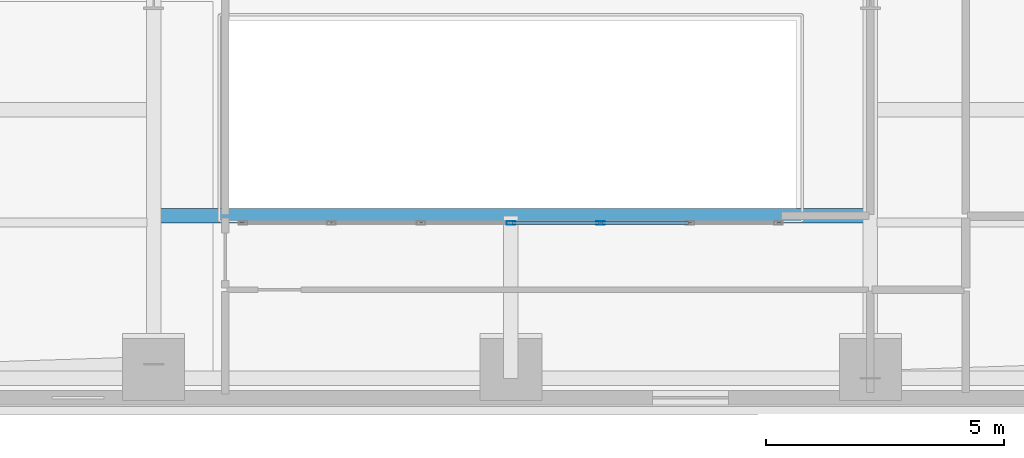
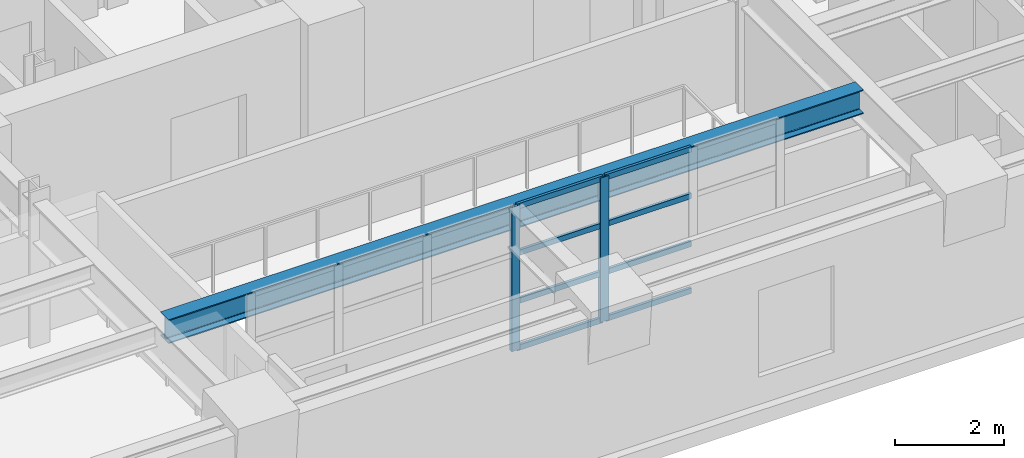
# One storey, part 3 of 16: 10 members, 1 beam, 1 element without a shape of its own.
"""IFC4 building model written with IfcOpenShell, lengths in metres."""

from ifc_helpers import new_model, si_unit, direction, frame, origin, origin_2d, place, context, subcontext, project, spatial, hollow_rectangle, i_section, extrude, material, layer, layer_set, material_profile, profile_set, type_object, element, aggregate, save


model = new_model("IFC4")

# Units and contexts
model_context = context("Model", 3, precision=1e-05, world=origin(), true_north=direction((0.0, 1.0)))
body_context = subcontext(model_context, "Body", "Model", "MODEL_VIEW")
ifc_project = project(units=[si_unit("LENGTHUNIT", "METRE"), si_unit("AREAUNIT", "SQUARE_METRE"), si_unit("VOLUMEUNIT", "CUBIC_METRE"), si_unit("PLANEANGLEUNIT", "RADIAN"), si_unit("MASSUNIT", "GRAM", prefix="KILO")], contexts=[model_context])

# Site, building, storey
site_placement = place(None, origin())
site = spatial("IfcSite", under=ifc_project, at=site_placement, CompositionType="ELEMENT")
building_placement = place(site_placement, origin())
building = spatial("IfcBuilding", under=site, at=building_placement, Name="Zarnavel Station Tower", CompositionType="ELEMENT")
storey_placement = place(building_placement, frame((0.0, 0.0, 94.300048828125)))
storey = spatial("IfcBuildingStorey", under=building, at=storey_placement, Name="L25", CompositionType="ELEMENT", Elevation=94.300048828125)

# Curtain wall, members
ifc_material_1 = material(Name="Aluminium Dark Anodised and Solar-Control Glass", Category="aluminium")
ifc_layer = layer(ifc_material_1, 0.179931640625)
ifc_layer_set = layer_set([ifc_layer], Name="CWS3")
curtain_wall_type = type_object("IfcCurtainWallType", Name="CWS3", PredefinedType="NOTDEFINED", material=ifc_layer_set)
curtain_wall_placement = place(storey_placement, origin())
curtain_wall = element("IfcCurtainWall", 1, at=curtain_wall_placement, inside=storey, type_object=curtain_wall_type, Name="L25 Curtain Wall CWS3-L25-AS", PredefinedType="NOTDEFINED")
ifc_material_2 = material(Name="Steel S355J2 (Black Fluoropolymer Coated)", Category="steel")
ifc_material_profile_1 = material_profile(ifc_material_2, hollow_rectangle(XDim=0.080078125, YDim=0.179931640625, WallThickness=0.00634765625, at=origin_2d()), Name="RHS180x80x6.3")
ifc_profile_set_1 = profile_set([ifc_material_profile_1], Name="Steel S355J2 (Black Fluoropolymer Coated)")
member_type_1 = type_object("IfcMemberType", Name="CWS3_MUL", PredefinedType="MULLION", material=ifc_profile_set_1)
member_1_placement = place(storey_placement, frame((28.800048828125, 20.64990234375, 0.0), z_axis=(0.0, 0.0, 1.0), x_axis=(0.0, 1.0, 0.0)))
member_1 = element("IfcMember", 2, at=member_1_placement, type_object=member_type_1, Name="CW3 mullion 4", PredefinedType="MULLION", context=body_context, shape_type="SweptSolid", body=[
    extrude(hollow_rectangle(XDim=0.080078125, YDim=0.179931640625, WallThickness=0.00634765625, at=origin_2d()), origin(), (0.0, 0.0, 1.0), 3.239990234375),
])
member_2_placement = place(storey_placement, frame((30.683349609375, 20.64990234375, 0.0), z_axis=(0.0, 0.0, 1.0), x_axis=(0.0, 1.0, 0.0)))
member_2 = element("IfcMember", 3, at=member_2_placement, type_object=member_type_1, Name="CW3 mullion 5", PredefinedType="MULLION", context=body_context, shape_type="SweptSolid", body=[
    extrude(hollow_rectangle(XDim=0.080078125, YDim=0.179931640625, WallThickness=0.00634765625, at=origin_2d()), origin(), (0.0, 0.0, 1.0), 3.239990234375),
])
ifc_material_3 = material(Name="Steel S355J2 (Black Fluoropolymer Coated)", Category="steel")
ifc_material_profile_2 = material_profile(ifc_material_3, hollow_rectangle(XDim=0.06005859375, YDim=0.1201171875, WallThickness=0.0048828125, at=origin_2d()), Name="RHS120x60x5")
ifc_profile_set_2 = profile_set([ifc_material_profile_2], Name="Steel S355J2 (Black Fluoropolymer Coated)")
member_type_2 = type_object("IfcMemberType", Name="CWS3_TRN", PredefinedType="USERDEFINED", material=ifc_profile_set_2)
member_3_placement = place(storey_placement, frame((28.830078125, 20.64990234375, 0.030029296875), z_axis=(1.0, 0.0, 0.0), x_axis=(0.0, 1.0, 0.0)))
member_3 = element("IfcMember", 4, at=member_3_placement, type_object=member_type_2, Name="CW3 transom 4.1", ObjectType="TRANSOM", PredefinedType="USERDEFINED", context=body_context, shape_type="SweptSolid", body=[
    extrude(hollow_rectangle(XDim=0.06005859375, YDim=0.1201171875, WallThickness=0.0048828125, at=origin_2d()), origin(), (0.0, 0.0, 1.0), 1.8232421875),
])
member_4_placement = place(storey_placement, frame((28.830078125, 20.64990234375, 1.079833984375), z_axis=(1.0, 0.0, 0.0), x_axis=(0.0, 1.0, 0.0)))
member_4 = element("IfcMember", 5, at=member_4_placement, type_object=member_type_2, Name="CW3 transom 4.2", ObjectType="TRANSOM", PredefinedType="USERDEFINED", context=body_context, shape_type="SweptSolid", body=[
    extrude(hollow_rectangle(XDim=0.06005859375, YDim=0.1201171875, WallThickness=0.0048828125, at=origin_2d()), origin(), (0.0, 0.0, 1.0), 1.8232421875),
])
member_5_placement = place(storey_placement, frame((28.830078125, 20.64990234375, 2.159912109375), z_axis=(1.0, 0.0, 0.0), x_axis=(0.0, 1.0, 0.0)))
member_5 = element("IfcMember", 6, at=member_5_placement, type_object=member_type_2, Name="CW3 transom 4.3", ObjectType="TRANSOM", PredefinedType="USERDEFINED", context=body_context, shape_type="SweptSolid", body=[
    extrude(hollow_rectangle(XDim=0.06005859375, YDim=0.1201171875, WallThickness=0.0048828125, at=origin_2d()), origin(), (0.0, 0.0, 1.0), 1.8232421875),
])
member_6_placement = place(storey_placement, frame((28.830078125, 20.64990234375, 3.2099609375), z_axis=(1.0, 0.0, 0.0), x_axis=(0.0, 1.0, 0.0)))
member_6 = element("IfcMember", 7, at=member_6_placement, type_object=member_type_2, Name="CW3 transom 4.4", ObjectType="TRANSOM", PredefinedType="USERDEFINED", context=body_context, shape_type="SweptSolid", body=[
    extrude(hollow_rectangle(XDim=0.06005859375, YDim=0.1201171875, WallThickness=0.0048828125, at=origin_2d()), origin(), (0.0, 0.0, 1.0), 1.8232421875),
])
member_7_placement = place(storey_placement, frame((30.71337890625, 20.64990234375, 0.030029296875), z_axis=(1.0, 0.0, 0.0), x_axis=(0.0, 1.0, 0.0)))
member_7 = element("IfcMember", 8, at=member_7_placement, type_object=member_type_2, Name="CW3 transom 5.1", ObjectType="TRANSOM", PredefinedType="USERDEFINED", context=body_context, shape_type="SweptSolid", body=[
    extrude(hollow_rectangle(XDim=0.06005859375, YDim=0.1201171875, WallThickness=0.0048828125, at=origin_2d()), origin(), (0.0, 0.0, 1.0), 1.8232421875),
])
member_8_placement = place(storey_placement, frame((30.71337890625, 20.64990234375, 1.079833984375), z_axis=(1.0, 0.0, 0.0), x_axis=(0.0, 1.0, 0.0)))
member_8 = element("IfcMember", 9, at=member_8_placement, type_object=member_type_2, Name="CW3 transom 5.2", ObjectType="TRANSOM", PredefinedType="USERDEFINED", context=body_context, shape_type="SweptSolid", body=[
    extrude(hollow_rectangle(XDim=0.06005859375, YDim=0.1201171875, WallThickness=0.0048828125, at=origin_2d()), origin(), (0.0, 0.0, 1.0), 1.8232421875),
])
member_9_placement = place(storey_placement, frame((30.71337890625, 20.64990234375, 2.159912109375), z_axis=(1.0, 0.0, 0.0), x_axis=(0.0, 1.0, 0.0)))
member_9 = element("IfcMember", 10, at=member_9_placement, type_object=member_type_2, Name="CW3 transom 5.3", ObjectType="TRANSOM", PredefinedType="USERDEFINED", context=body_context, shape_type="SweptSolid", body=[
    extrude(hollow_rectangle(XDim=0.06005859375, YDim=0.1201171875, WallThickness=0.0048828125, at=origin_2d()), origin(), (0.0, 0.0, 1.0), 1.8232421875),
])
member_10_placement = place(storey_placement, frame((30.71337890625, 20.64990234375, 3.2099609375), z_axis=(1.0, 0.0, 0.0), x_axis=(0.0, 1.0, 0.0)))
member_10 = element("IfcMember", 11, at=member_10_placement, type_object=member_type_2, Name="CW3 transom 5.4", ObjectType="TRANSOM", PredefinedType="USERDEFINED", context=body_context, shape_type="SweptSolid", body=[
    extrude(hollow_rectangle(XDim=0.06005859375, YDim=0.1201171875, WallThickness=0.0048828125, at=origin_2d()), origin(), (0.0, 0.0, 1.0), 1.8232421875),
])
aggregate(curtain_wall, [member_1, member_2, member_3, member_4, member_5, member_6, member_7, member_8, member_9, member_10])

# Beam
ifc_material_4 = material(Name="Steel S355J2", Category="steel")
ifc_material_profile_3 = material_profile(ifc_material_4, i_section(OverallWidth=0.300048828125, OverallDepth=0.5400390625, WebThickness=0.012451171875, FlangeThickness=0.02392578125, FilletRadius=0.027099609375, at=origin_2d()), Name="HEA550")
ifc_profile_set_3 = profile_set([ifc_material_profile_3], Name="Steel S355J2")
beam_type = type_object("IfcBeamType", Name="FB_HEA550", PredefinedType="BEAM", material=ifc_profile_set_3)
beam_placement = place(storey_placement, frame((21.445068359375, 20.800048828125, 2.969970703125), z_axis=(1.0, 0.0, 0.0), x_axis=(0.0, 1.0, 0.0)))
element("IfcBeam", 12, at=beam_placement, inside=storey, type_object=beam_type, Name="L25 Atrium South Edge Girder", PredefinedType="BEAM", context=body_context, shape_type="SweptSolid", body=[
    extrude(i_section(OverallWidth=0.300048828125, OverallDepth=0.5400390625, WebThickness=0.012451171875, FlangeThickness=0.02392578125, FilletRadius=0.027099609375, at=origin_2d()), origin(), (0.0, 0.0, 1.0), 14.760009765625),
])

save(model, "model.ifc")
